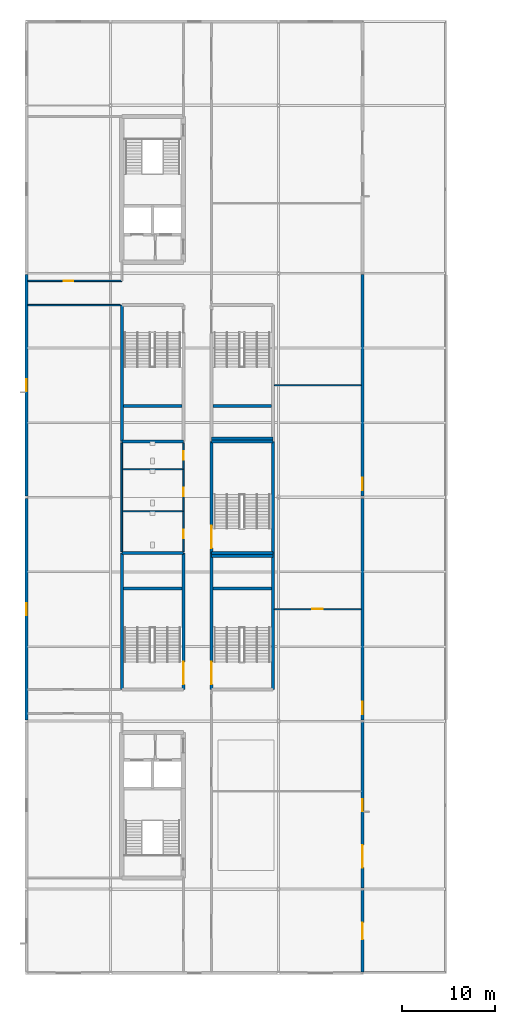
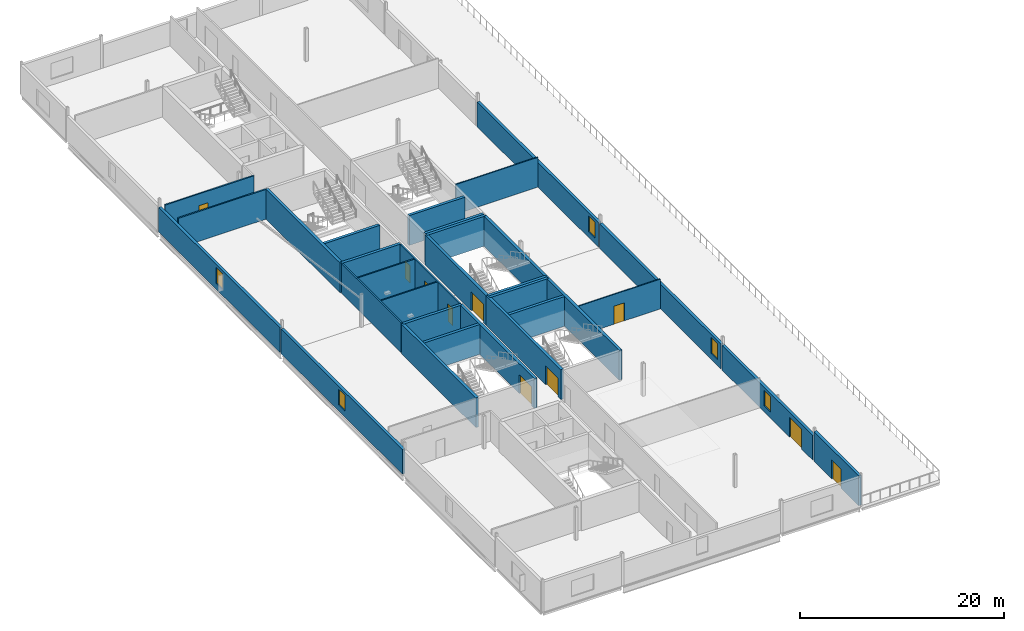
# One storey, part 28 of 55: 31 walls, 10 doors, 5 windows, 15 openings.
"""IFC4 building model written with IfcOpenShell, lengths in metres."""

from ifc_helpers import new_model, si_unit, direction, frame, frame_2d, origin, place, context, subcontext, project, spatial, rectangle, extrude, material, layer, layer_set, type_object, element, fill, save


model = new_model("IFC4")

# Units and contexts
model_context = context("Model", 3, precision=1e-05, world=origin(), true_north=direction((0.0, 1.0)))
body_context = subcontext(model_context, "Body", "Model", "MODEL_VIEW")
ifc_project = project(units=[si_unit("LENGTHUNIT", "METRE"), si_unit("AREAUNIT", "SQUARE_METRE"), si_unit("VOLUMEUNIT", "CUBIC_METRE"), si_unit("PLANEANGLEUNIT", "RADIAN"), si_unit("MASSUNIT", "GRAM", prefix="KILO")], contexts=[model_context])

# Site, building, storey
site_placement = place(None, origin())
site = spatial("IfcSite", under=ifc_project, at=site_placement, CompositionType="ELEMENT")
building_placement = place(site_placement, origin())
building = spatial("IfcBuilding", under=site, at=building_placement, Name="Kisiwana Market Hall", CompositionType="ELEMENT")
storey_placement = place(building_placement, frame((0.0, 0.0, 37.800048828125)))
storey = spatial("IfcBuildingStorey", under=building, at=storey_placement, Name="L08", CompositionType="ELEMENT", Elevation=37.800048828125)

# Walls
ifc_material_1 = material(Name="Concrete C40/50", Category="concrete")
ifc_layer_1 = layer(ifc_material_1, 0.320068359375, Name="Reinforced concrete shaft wall")
ifc_layer_set_1 = layer_set([ifc_layer_1], Name="WL-CORE-320")
wall_type_1 = type_object("IfcWallType", Name="WL-CORE-320", PredefinedType="SHEAR", material=ifc_layer_set_1)
wall_1_placement = place(storey_placement, frame((10.199951171875, 54.0, 0.0), z_axis=(0.0, 0.0, 1.0), x_axis=(1.0, 0.0, 0.0)))
element("IfcWall", 1, at=wall_1_placement, inside=storey, type_object=wall_type_1, Name="Core W3 north shear wall W-2299", PredefinedType="SHEAR", context=body_context, shape_type="SweptSolid", body=[
    extrude(rectangle(XDim=6.60009765625, YDim=0.320068359375, at=frame_2d((3.300048828125, 0.0))), origin(), (0.0, 0.0, 1.0), 3.56494140625),
])
wall_2_placement = place(storey_placement, frame((10.199951171875, 39.39990234375, 0.0), z_axis=(0.0, 0.0, 1.0), x_axis=(0.0, 1.0, 0.0)))
element("IfcWall", 2, at=wall_2_placement, inside=storey, type_object=wall_type_1, Name="Core W3 outer shear wall W-2300", PredefinedType="SHEAR", context=body_context, shape_type="SweptSolid", body=[
    extrude(rectangle(XDim=14.60009765625, YDim=0.320068359375, at=frame_2d((7.300048828125, 0.0))), origin(), (0.0, 0.0, 1.0), 3.56494140625),
])

# Wall, opening, door
wall_3_placement = place(storey_placement, frame((16.800048828125, 39.39990234375, 0.0), z_axis=(0.0, 0.0, 1.0), x_axis=(0.0, 1.0, 0.0)))
wall_3 = element("IfcWall", 3, at=wall_3_placement, inside=storey, type_object=wall_type_1, Name="Core W3 corridor shear wall W-2301", PredefinedType="SHEAR", context=body_context, shape_type="SweptSolid", body=[
    extrude(rectangle(XDim=14.60009765625, YDim=0.320068359375, at=frame_2d((7.300048828125, 0.0))), origin(), (0.0, 0.0, 1.0), 3.56494140625),
])
opening_1_placement = place(wall_3_placement, frame((0.550048828125, 0.0, 0.0)))
opening_1 = element("IfcOpeningElement", 4, at=opening_1_placement, cuts=wall_3, Name="Opening DR-L08-013", PredefinedType="OPENING", context=body_context, shape_type="SweptSolid", body=[
    extrude(rectangle(XDim=2.39990234375, YDim=2.25, at=frame_2d((1.199951171875, 1.125))), frame((0.0, 0.171875, 0.0), z_axis=(0.0, -1.0, 0.0), x_axis=(1.0, 0.0, 0.0)), (0.0, 0.0, 1.0), 0.343994140625),
])
ifc_material_2 = material(Name="Steel S275", Category="steel")
door_type_1 = type_object("IfcDoorType", Name="DR-STAIR-FD120-2400", OperationType="DOUBLE_DOOR_SINGLE_SWING", PredefinedType="DOOR", material=ifc_material_2)
door_1_placement = place(opening_1_placement, origin())
door_1 = element("IfcDoor", 5, at=door_1_placement, inside=storey, type_object=door_type_1, Name="Escape Stair W3 Fire Door (L08)", OperationType="DOUBLE_DOOR_SINGLE_SWING", OverallHeight=2.25, OverallWidth=2.39990234375, PredefinedType="DOOR", context=body_context, shape_type="SweptSolid", body=[
    extrude(rectangle(XDim=2.39990234375, YDim=2.25, at=frame_2d((1.199951171875, 1.125))), frame((0.0, 0.02490234375, 0.0), z_axis=(0.0, -1.0, 0.0), x_axis=(1.0, 0.0, 0.0)), (0.0, 0.0, 1.0), 0.050048828125),
])
fill(opening_1, door_1)

# Walls
wall_4_placement = place(storey_placement, frame((10.360107421875, 50.219970703125, 0.0), z_axis=(0.0, 0.0, 1.0), x_axis=(1.0, 0.0, 0.0)))
element("IfcWall", 6, at=wall_4_placement, inside=storey, type_object=wall_type_1, Name="Core W3 riser divider shear wall W-2302", PredefinedType="SHEAR", context=body_context, shape_type="SweptSolid", body=[
    extrude(rectangle(XDim=6.27978515625, YDim=0.320068359375, at=frame_2d((3.139892578125, 0.0))), origin(), (0.0, 0.0, 1.0), 3.56494140625),
])
wall_5_placement = place(storey_placement, frame((10.199951171875, 66.0, 0.0), z_axis=(0.0, 0.0, 1.0), x_axis=(1.0, 0.0, 0.0)))
element("IfcWall", 7, at=wall_5_placement, inside=storey, type_object=wall_type_1, Name="Core W4 south shear wall W-2303", PredefinedType="SHEAR", context=body_context, shape_type="SweptSolid", body=[
    extrude(rectangle(XDim=6.60009765625, YDim=0.320068359375, at=frame_2d((3.300048828125, 0.0))), origin(), (0.0, 0.0, 1.0), 3.56494140625),
])
wall_6_placement = place(storey_placement, frame((10.199951171875, 66.0, 0.0), z_axis=(0.0, 0.0, 1.0), x_axis=(0.0, 1.0, 0.0)))
element("IfcWall", 8, at=wall_6_placement, inside=storey, type_object=wall_type_1, Name="Core W4 outer shear wall W-2305", PredefinedType="SHEAR", context=body_context, shape_type="SweptSolid", body=[
    extrude(rectangle(XDim=14.60009765625, YDim=0.320068359375, at=frame_2d((7.300048828125, 0.0))), origin(), (0.0, 0.0, 1.0), 3.56494140625),
])
wall_7_placement = place(storey_placement, frame((10.360107421875, 69.780029296875, 0.0), z_axis=(0.0, 0.0, 1.0), x_axis=(1.0, 0.0, 0.0)))
element("IfcWall", 9, at=wall_7_placement, inside=storey, type_object=wall_type_1, Name="Core W4 riser divider shear wall W-2307", PredefinedType="SHEAR", context=body_context, shape_type="SweptSolid", body=[
    extrude(rectangle(XDim=6.27978515625, YDim=0.320068359375, at=frame_2d((3.139892578125, 0.0))), origin(), (0.0, 0.0, 1.0), 3.56494140625),
])
wall_8_placement = place(storey_placement, frame((19.800048828125, 54.0, 0.0), z_axis=(0.0, 0.0, 1.0), x_axis=(1.0, 0.0, 0.0)))
element("IfcWall", 10, at=wall_8_placement, inside=storey, type_object=wall_type_1, Name="Core W7 north shear wall W-2319", PredefinedType="SHEAR", context=body_context, shape_type="SweptSolid", body=[
    extrude(rectangle(XDim=6.599853515625, YDim=0.320068359375, at=frame_2d((3.2998046875, 0.0))), origin(), (0.0, 0.0, 1.0), 3.56494140625),
])

# Wall, opening, door
wall_9_placement = place(storey_placement, frame((19.800048828125, 39.39990234375, 0.0), z_axis=(0.0, 0.0, 1.0), x_axis=(0.0, 1.0, 0.0)))
wall_9 = element("IfcWall", 11, at=wall_9_placement, inside=storey, type_object=wall_type_1, Name="Core W7 corridor shear wall W-2320", PredefinedType="SHEAR", context=body_context, shape_type="SweptSolid", body=[
    extrude(rectangle(XDim=14.60009765625, YDim=0.320068359375, at=frame_2d((7.300048828125, 0.0))), origin(), (0.0, 0.0, 1.0), 3.56494140625),
])
opening_2_placement = place(wall_9_placement, frame((0.550048828125, 0.0, 0.0)))
opening_2 = element("IfcOpeningElement", 12, at=opening_2_placement, cuts=wall_9, Name="Opening DR-L08-017", PredefinedType="OPENING", context=body_context, shape_type="SweptSolid", body=[
    extrude(rectangle(XDim=2.39990234375, YDim=2.25, at=frame_2d((1.199951171875, 1.125))), frame((0.0, 0.171875, 0.0), z_axis=(0.0, -1.0, 0.0), x_axis=(1.0, 0.0, 0.0)), (0.0, 0.0, 1.0), 0.343994140625),
])
door_2_placement = place(opening_2_placement, frame((2.39990234375, 0.0, 0.0), z_axis=(0.0, 0.0, 1.0), x_axis=(-1.0, 0.0, 0.0)))
door_2 = element("IfcDoor", 13, at=door_2_placement, inside=storey, type_object=door_type_1, Name="Escape Stair W7 Fire Door (L08)", OperationType="DOUBLE_DOOR_SINGLE_SWING", OverallHeight=2.25, OverallWidth=2.39990234375, PredefinedType="DOOR", context=body_context, shape_type="SweptSolid", body=[
    extrude(rectangle(XDim=2.39990234375, YDim=2.25, at=frame_2d((1.199951171875, 1.125))), frame((0.0, 0.02490234375, 0.0), z_axis=(0.0, -1.0, 0.0), x_axis=(1.0, 0.0, 0.0)), (0.0, 0.0, 1.0), 0.050048828125),
])
fill(opening_2, door_2)

# Walls
wall_10_placement = place(storey_placement, frame((26.39990234375, 39.39990234375, 0.0), z_axis=(0.0, 0.0, 1.0), x_axis=(0.0, 1.0, 0.0)))
element("IfcWall", 14, at=wall_10_placement, inside=storey, type_object=wall_type_1, Name="Core W7 outer shear wall W-2321", PredefinedType="SHEAR", context=body_context, shape_type="SweptSolid", body=[
    extrude(rectangle(XDim=14.60009765625, YDim=0.320068359375, at=frame_2d((7.300048828125, 0.0))), origin(), (0.0, 0.0, 1.0), 3.56494140625),
])
wall_11_placement = place(storey_placement, frame((19.9599609375, 50.219970703125, 0.0), z_axis=(0.0, 0.0, 1.0), x_axis=(1.0, 0.0, 0.0)))
element("IfcWall", 15, at=wall_11_placement, inside=storey, type_object=wall_type_1, Name="Core W7 riser divider shear wall W-2322", PredefinedType="SHEAR", context=body_context, shape_type="SweptSolid", body=[
    extrude(rectangle(XDim=6.280029296875, YDim=0.320068359375, at=frame_2d((3.14013671875, 0.0))), origin(), (0.0, 0.0, 1.0), 3.56494140625),
])
wall_12_placement = place(storey_placement, frame((19.800048828125, 66.0, 0.0), z_axis=(0.0, 0.0, 1.0), x_axis=(1.0, 0.0, 0.0)))
element("IfcWall", 16, at=wall_12_placement, inside=storey, type_object=wall_type_1, Name="Core W8 south shear wall W-2328", PredefinedType="SHEAR", context=body_context, shape_type="SweptSolid", body=[
    extrude(rectangle(XDim=6.599853515625, YDim=0.320068359375, at=frame_2d((3.2998046875, 0.0))), origin(), (0.0, 0.0, 1.0), 3.56494140625),
])
wall_13_placement = place(storey_placement, frame((19.9599609375, 69.780029296875, 0.0), z_axis=(0.0, 0.0, 1.0), x_axis=(1.0, 0.0, 0.0)))
element("IfcWall", 17, at=wall_13_placement, inside=storey, type_object=wall_type_1, Name="Core W8 riser divider shear wall W-2332", PredefinedType="SHEAR", context=body_context, shape_type="SweptSolid", body=[
    extrude(rectangle(XDim=6.280029296875, YDim=0.320068359375, at=frame_2d((3.14013671875, 0.0))), origin(), (0.0, 0.0, 1.0), 3.56494140625),
])
for number, where, z_axis, x_axis, name in (
    (18, (19.800048828125, 53.679931640625, 0.0), (0.0, 0.0, 1.0), (1.0, 0.0, 0.0), "Core W5 south shear wall W-2338"),
    (19, (19.800048828125, 66.320068359375, 0.0), (0.0, 0.0, 1.0), (1.0, 0.0, 0.0), "Core W5 north shear wall W-2339"),
):
    element("IfcWall", number, at=place(storey_placement, frame(where, z_axis=z_axis, x_axis=x_axis)), inside=storey, type_object=wall_type_1, Name=name, PredefinedType="SHEAR", context=body_context, shape_type="SweptSolid", body=[
        extrude(rectangle(XDim=6.599853515625, YDim=0.320068359375, at=frame_2d((3.2998046875, 0.0))), origin(), (0.0, 0.0, 1.0), 3.56494140625),
    ])

# Wall, opening, door
wall_14_placement = place(storey_placement, frame((19.800048828125, 54.0, 0.0), z_axis=(0.0, 0.0, 1.0), x_axis=(0.0, 1.0, 0.0)))
wall_14 = element("IfcWall", 20, at=wall_14_placement, inside=storey, type_object=wall_type_1, Name="Core W5 corridor shear wall W-2340", PredefinedType="SHEAR", context=body_context, shape_type="SweptSolid", body=[
    extrude(rectangle(XDim=12.0, YDim=0.320068359375, at=frame_2d((6.0, 0.0))), origin(), (0.0, 0.0, 1.0), 3.56494140625),
])
opening_3_placement = place(wall_14_placement, frame((0.550048828125, 0.0, 0.0)))
opening_3 = element("IfcOpeningElement", 21, at=opening_3_placement, cuts=wall_14, Name="Opening DR-L08-021", PredefinedType="OPENING", context=body_context, shape_type="SweptSolid", body=[
    extrude(rectangle(XDim=2.39990234375, YDim=2.25, at=frame_2d((1.199951171875, 1.125))), frame((0.0, 0.171875, 0.0), z_axis=(0.0, -1.0, 0.0), x_axis=(1.0, 0.0, 0.0)), (0.0, 0.0, 1.0), 0.343994140625),
])
door_3_placement = place(opening_3_placement, frame((2.39990234375, 0.0, 0.0), z_axis=(0.0, 0.0, 1.0), x_axis=(-1.0, 0.0, 0.0)))
door_3 = element("IfcDoor", 22, at=door_3_placement, inside=storey, type_object=door_type_1, Name="Escape Stair W5 Fire Door (L08)", OperationType="DOUBLE_DOOR_SINGLE_SWING", OverallHeight=2.25, OverallWidth=2.39990234375, PredefinedType="DOOR", context=body_context, shape_type="SweptSolid", body=[
    extrude(rectangle(XDim=2.39990234375, YDim=2.25, at=frame_2d((1.199951171875, 1.125))), frame((0.0, 0.02490234375, 0.0), z_axis=(0.0, -1.0, 0.0), x_axis=(1.0, 0.0, 0.0)), (0.0, 0.0, 1.0), 0.050048828125),
])
fill(opening_3, door_3)

# Walls
wall_15_placement = place(storey_placement, frame((26.39990234375, 54.0, 0.0), z_axis=(0.0, 0.0, 1.0), x_axis=(0.0, 1.0, 0.0)))
element("IfcWall", 23, at=wall_15_placement, inside=storey, type_object=wall_type_1, Name="Core W5 outer shear wall W-2341", PredefinedType="SHEAR", context=body_context, shape_type="SweptSolid", body=[
    extrude(rectangle(XDim=12.0, YDim=0.320068359375, at=frame_2d((6.0, 0.0))), origin(), (0.0, 0.0, 1.0), 3.56494140625),
])
ifc_material_3 = material(Name="Masonry blockwork", Category="masonry")
ifc_layer_2 = layer(ifc_material_3, 0.169921875, Name="Protected corridor partition")
ifc_layer_set_2 = layer_set([ifc_layer_2], Name="WL-CORR-170")
wall_type_2 = type_object("IfcWallType", Name="WL-CORR-170", PredefinedType="PARTITIONING", material=ifc_layer_set_2)
wall_16_placement = place(storey_placement, frame((10.199951171875, 54.159912109375, 0.0), z_axis=(0.0, 0.0, 1.0), x_axis=(0.0, 1.0, 0.0)))
element("IfcWall", 24, at=wall_16_placement, inside=storey, type_object=wall_type_2, Name="Interior partition W-2383", PredefinedType="PARTITIONING", context=body_context, shape_type="SweptSolid", body=[
    extrude(rectangle(XDim=11.68017578125, YDim=0.169921875, at=frame_2d((5.840087890625, 0.0))), origin(), (0.0, 0.0, 1.0), 3.56494140625),
])

# Wall, openings, doors
wall_17_placement = place(storey_placement, frame((16.800048828125, 54.159912109375, 0.0), z_axis=(0.0, 0.0, 1.0), x_axis=(0.0, 1.0, 0.0)))
wall_17 = element("IfcWall", 25, at=wall_17_placement, inside=storey, type_object=wall_type_2, Name="Interior partition W-2384", PredefinedType="PARTITIONING", context=body_context, shape_type="SweptSolid", body=[
    extrude(rectangle(XDim=11.68017578125, YDim=0.169921875, at=frame_2d((5.840087890625, 0.0))), origin(), (0.0, 0.0, 1.0), 3.56494140625),
])
opening_4_placement = place(wall_17_placement, frame((1.43994140625, 0.0, 0.0)))
opening_4 = element("IfcOpeningElement", 26, at=opening_4_placement, cuts=wall_17, Name="Opening DR-L08-023", PredefinedType="OPENING", context=body_context, shape_type="SweptSolid", body=[
    extrude(rectangle(XDim=0.89990234375, YDim=2.10009765625, at=frame_2d((0.449951171875, 1.050048828125))), frame((0.0, 0.096923828125, 0.0), z_axis=(0.0, -1.0, 0.0), x_axis=(1.0, 0.0, 0.0)), (0.0, 0.0, 1.0), 0.19384765625),
])
opening_5_placement = place(wall_17_placement, frame((5.93994140625, 0.0, 0.0)))
opening_5 = element("IfcOpeningElement", 27, at=opening_5_placement, cuts=wall_17, Name="Opening DR-L08-024", PredefinedType="OPENING", context=body_context, shape_type="SweptSolid", body=[
    extrude(rectangle(XDim=0.89990234375, YDim=2.10009765625, at=frame_2d((0.449951171875, 1.050048828125))), frame((0.0, 0.096923828125, 0.0), z_axis=(0.0, -1.0, 0.0), x_axis=(1.0, 0.0, 0.0)), (0.0, 0.0, 1.0), 0.19384765625),
])
opening_6_placement = place(wall_17_placement, frame((9.840087890625, 0.0, 0.0)))
opening_6 = element("IfcOpeningElement", 28, at=opening_6_placement, cuts=wall_17, Name="Opening DR-L08-025", PredefinedType="OPENING", context=body_context, shape_type="SweptSolid", body=[
    extrude(rectangle(XDim=0.949951171875, YDim=2.10009765625, at=frame_2d((0.47509765625, 1.050048828125))), frame((0.0, 0.096923828125, 0.0), z_axis=(0.0, -1.0, 0.0), x_axis=(1.0, 0.0, 0.0)), (0.0, 0.0, 1.0), 0.19384765625),
])
ifc_material_4 = material(Name="Aluminium alloy 6063-T6", Category="aluminium")
door_type_2 = type_object("IfcDoorType", Name="DR-WC-ACC-950", OperationType="NOTDEFINED", PredefinedType="DOOR", material=ifc_material_4)
door_4_placement = place(opening_6_placement, origin())
door_4 = element("IfcDoor", 29, at=door_4_placement, inside=storey, type_object=door_type_2, Name="L08 W Accessible WC Door", OperationType="SINGLE_SWING_RIGHT", OverallHeight=2.10009765625, OverallWidth=0.949951171875, PredefinedType="DOOR", context=body_context, shape_type="SweptSolid", body=[
    extrude(rectangle(XDim=0.949951171875, YDim=2.10009765625, at=frame_2d((0.47509765625, 1.050048828125))), frame((0.0, 0.02490234375, 0.0), z_axis=(0.0, -1.0, 0.0), x_axis=(1.0, 0.0, 0.0)), (0.0, 0.0, 1.0), 0.050048828125),
])
fill(opening_6, door_4)
ifc_material_5 = material(Name="Aluminium alloy 6063-T6", Category="aluminium")
door_type_3 = type_object("IfcDoorType", Name="DR-WC-STD-900", OperationType="NOTDEFINED", PredefinedType="DOOR", material=ifc_material_5)
door_5_placement = place(opening_4_placement, origin())
door_5 = element("IfcDoor", 30, at=door_5_placement, inside=storey, type_object=door_type_3, Name="L08 W Male Toilet Door", OperationType="SINGLE_SWING_LEFT", OverallHeight=2.10009765625, OverallWidth=0.89990234375, PredefinedType="DOOR", context=body_context, shape_type="SweptSolid", body=[
    extrude(rectangle(XDim=0.89990234375, YDim=2.10009765625, at=frame_2d((0.449951171875, 1.050048828125))), frame((0.0, 0.02490234375, 0.0), z_axis=(0.0, -1.0, 0.0), x_axis=(1.0, 0.0, 0.0)), (0.0, 0.0, 1.0), 0.050048828125),
])
fill(opening_4, door_5)
door_6_placement = place(opening_5_placement, origin())
door_6 = element("IfcDoor", 31, at=door_6_placement, inside=storey, type_object=door_type_3, Name="L08 W Female Toilet Door", OperationType="SINGLE_SWING_RIGHT", OverallHeight=2.10009765625, OverallWidth=0.89990234375, PredefinedType="DOOR", context=body_context, shape_type="SweptSolid", body=[
    extrude(rectangle(XDim=0.89990234375, YDim=2.10009765625, at=frame_2d((0.449951171875, 1.050048828125))), frame((0.0, 0.02490234375, 0.0), z_axis=(0.0, -1.0, 0.0), x_axis=(1.0, 0.0, 0.0)), (0.0, 0.0, 1.0), 0.050048828125),
])
fill(opening_5, door_6)

# Wall, opening, window
ifc_material_6 = material(Name="Concrete C40/50 precast", Category="concrete")
ifc_layer_3 = layer(ifc_material_6, 0.31494140625)
ifc_layer_set_3 = layer_set([ifc_layer_3], Name="WL-EXT-315")
wall_type_3 = type_object("IfcWallType", Name="WL-EXT-315", PredefinedType="STANDARD", material=ifc_layer_set_3)
wall_18_placement = place(storey_placement, frame((0.0, 36.114990234375, 0.0), z_axis=(0.0, 0.0, 1.0), x_axis=(0.0, 1.0, 0.0)))
wall_18 = element("IfcWall", 32, at=wall_18_placement, inside=storey, type_object=wall_type_3, Name="Exterior wall W-2357", PredefinedType="STANDARD", context=body_context, shape_type="SweptSolid", body=[
    extrude(rectangle(XDim=23.77001953125, YDim=0.31494140625, at=frame_2d((11.885009765625, 0.0))), origin(), (0.0, 0.0, 1.0), 2.95263671875),
])
opening_7_placement = place(wall_18_placement, frame((11.235107421875, 0.0, 0.699951171875)))
opening_7 = element("IfcOpeningElement", 33, at=opening_7_placement, cuts=wall_18, Name="Opening WN-08", PredefinedType="OPENING", context=body_context, shape_type="SweptSolid", body=[
    extrude(rectangle(XDim=1.300048828125, YDim=1.89990234375, at=frame_2d((0.64990234375, 0.949951171875))), frame((0.0, 0.16943359375, 0.0), z_axis=(0.0, -1.0, 0.0), x_axis=(1.0, 0.0, 0.0)), (0.0, 0.0, 1.0), 0.3388671875),
])
ifc_material_7 = material(Name="Double-glazed solar-control low-E IGU", Category="glass")
window_type = type_object("IfcWindowType", Name="WN-OFFB-1300x1900", PartitioningType="SINGLE_PANEL", PredefinedType="WINDOW", material=ifc_material_7)
window_1_placement = place(opening_7_placement, origin())
window_1 = element("IfcWindow", 34, at=window_1_placement, inside=storey, type_object=window_type, Name="Exterior window WN-232", OverallHeight=1.89990234375, OverallWidth=1.300048828125, PartitioningType="SINGLE_PANEL", PredefinedType="WINDOW", context=body_context, shape_type="SweptSolid", body=[
    extrude(rectangle(XDim=1.300048828125, YDim=1.89990234375, at=frame_2d((0.64990234375, 0.949951171875))), frame((0.0, 0.030029296875, 0.0), z_axis=(0.0, -1.0, 0.0), x_axis=(1.0, 0.0, 0.0)), (0.0, 0.0, 1.0), 0.06005859375),
])
fill(opening_7, window_1)

wall_19_placement = place(storey_placement, frame((0.0, 60.114990234375, 0.0), z_axis=(0.0, 0.0, 1.0), x_axis=(0.0, 1.0, 0.0)))
wall_19 = element("IfcWall", 35, at=wall_19_placement, inside=storey, type_object=wall_type_3, Name="Exterior wall W-2358", PredefinedType="STANDARD", context=body_context, shape_type="SweptSolid", body=[
    extrude(rectangle(XDim=23.77001953125, YDim=0.31494140625, at=frame_2d((11.885009765625, 0.0))), origin(), (0.0, 0.0, 1.0), 2.95263671875),
])
opening_8_placement = place(wall_19_placement, frame((11.235107421875, 0.0, 0.699951171875)))
opening_8 = element("IfcOpeningElement", 36, at=opening_8_placement, cuts=wall_19, Name="Opening WN-08", PredefinedType="OPENING", context=body_context, shape_type="SweptSolid", body=[
    extrude(rectangle(XDim=1.300048828125, YDim=1.89990234375, at=frame_2d((0.64990234375, 0.949951171875))), frame((0.0, 0.16943359375, 0.0), z_axis=(0.0, -1.0, 0.0), x_axis=(1.0, 0.0, 0.0)), (0.0, 0.0, 1.0), 0.3388671875),
])
window_2_placement = place(opening_8_placement, origin())
window_2 = element("IfcWindow", 37, at=window_2_placement, inside=storey, type_object=window_type, Name="Exterior window WN-233", OverallHeight=1.89990234375, OverallWidth=1.300048828125, PartitioningType="SINGLE_PANEL", PredefinedType="WINDOW", context=body_context, shape_type="SweptSolid", body=[
    extrude(rectangle(XDim=1.300048828125, YDim=1.89990234375, at=frame_2d((0.64990234375, 0.949951171875))), frame((0.0, 0.030029296875, 0.0), z_axis=(0.0, -1.0, 0.0), x_axis=(1.0, 0.0, 0.0)), (0.0, 0.0, 1.0), 0.06005859375),
])
fill(opening_8, window_2)

# Wall, opening, door
wall_20_placement = place(storey_placement, frame((36.0, 9.114990234375, 0.0), z_axis=(0.0, 0.0, 1.0), x_axis=(0.0, 1.0, 0.0)))
wall_20 = element("IfcWall", 38, at=wall_20_placement, inside=storey, type_object=wall_type_3, Name="Exterior wall W-2361", PredefinedType="STANDARD", context=body_context, shape_type="SweptSolid", body=[
    extrude(rectangle(XDim=8.77001953125, YDim=0.31494140625, at=frame_2d((4.385009765625, 0.0))), origin(), (0.0, 0.0, 1.0), 3.56494140625),
])
opening_9_placement = place(wall_20_placement, frame((3.485107421875, 0.0, 0.0)))
opening_9 = element("IfcOpeningElement", 39, at=opening_9_placement, cuts=wall_20, Name="Opening DR-L08-987", PredefinedType="OPENING", context=body_context, shape_type="SweptSolid", body=[
    extrude(rectangle(XDim=1.800048828125, YDim=2.300048828125, at=frame_2d((0.89990234375, 1.14990234375))), frame((0.0, 0.16943359375, 0.0), z_axis=(0.0, -1.0, 0.0), x_axis=(1.0, 0.0, 0.0)), (0.0, 0.0, 1.0), 0.3388671875),
])
ifc_material_8 = material(Name="Aluminium alloy 6063-T6", Category="aluminium")
door_type_4 = type_object("IfcDoorType", Name="DR-EXT-TERR-1800", OperationType="DOUBLE_DOOR_SINGLE_SWING", PredefinedType="DOOR", material=ifc_material_8)
door_7_placement = place(opening_9_placement, origin())
door_7 = element("IfcDoor", 40, at=door_7_placement, inside=storey, type_object=door_type_4, Name="Exterior terrace access door DR-L08-987", OperationType="DOUBLE_DOOR_SINGLE_SWING", OverallHeight=2.300048828125, OverallWidth=1.800048828125, PredefinedType="DOOR", context=body_context, shape_type="SweptSolid", body=[
    extrude(rectangle(XDim=1.800048828125, YDim=2.300048828125, at=frame_2d((0.89990234375, 1.14990234375))), frame((0.0, 0.02490234375, 0.0), z_axis=(0.0, -1.0, 0.0), x_axis=(1.0, 0.0, 0.0)), (0.0, 0.0, 1.0), 0.050048828125),
])
fill(opening_9, door_7)

# Wall, openings, door, window
wall_21_placement = place(storey_placement, frame((36.0, 18.114990234375, 0.0), z_axis=(0.0, 0.0, 1.0), x_axis=(0.0, 1.0, 0.0)))
wall_21 = element("IfcWall", 41, at=wall_21_placement, inside=storey, type_object=wall_type_3, Name="Exterior wall W-2362", PredefinedType="STANDARD", context=body_context, shape_type="SweptSolid", body=[
    extrude(rectangle(XDim=17.77001953125, YDim=0.31494140625, at=frame_2d((8.885009765625, 0.0))), origin(), (0.0, 0.0, 1.0), 2.95263671875),
])
opening_10_placement = place(wall_21_placement, frame((8.235107421875, 0.0, 0.699951171875)))
opening_10 = element("IfcOpeningElement", 42, at=opening_10_placement, cuts=wall_21, Name="Opening WN-08", PredefinedType="OPENING", context=body_context, shape_type="SweptSolid", body=[
    extrude(rectangle(XDim=1.300048828125, YDim=1.89990234375, at=frame_2d((0.64990234375, 0.949951171875))), frame((0.0, 0.16943359375, 0.0), z_axis=(0.0, -1.0, 0.0), x_axis=(1.0, 0.0, 0.0)), (0.0, 0.0, 1.0), 0.3388671875),
])
opening_11_placement = place(wall_21_placement, frame((2.18505859375, 0.0, 0.0)))
opening_11 = element("IfcOpeningElement", 43, at=opening_11_placement, cuts=wall_21, Name="Opening DR-L08-989", PredefinedType="OPENING", context=body_context, shape_type="SweptSolid", body=[
    extrude(rectangle(XDim=2.39990234375, YDim=2.35009765625, at=frame_2d((1.199951171875, 1.175048828125))), frame((0.0, 0.16943359375, 0.0), z_axis=(0.0, -1.0, 0.0), x_axis=(1.0, 0.0, 0.0)), (0.0, 0.0, 1.0), 0.3388671875),
])
ifc_material_9 = material(Name="Aluminium alloy 6063-T6", Category="aluminium")
door_type_5 = type_object("IfcDoorType", Name="DR-EXT-TERR-2400", OperationType="DOUBLE_DOOR_SINGLE_SWING", PredefinedType="DOOR", material=ifc_material_9)
door_8_placement = place(opening_11_placement, origin())
door_8 = element("IfcDoor", 44, at=door_8_placement, inside=storey, type_object=door_type_5, Name="Exterior terrace access door DR-L08-989", OperationType="DOUBLE_DOOR_SINGLE_SWING", OverallHeight=2.35009765625, OverallWidth=2.39990234375, PredefinedType="DOOR", context=body_context, shape_type="SweptSolid", body=[
    extrude(rectangle(XDim=2.39990234375, YDim=2.35009765625, at=frame_2d((1.199951171875, 1.175048828125))), frame((0.0, 0.02490234375, 0.0), z_axis=(0.0, -1.0, 0.0), x_axis=(1.0, 0.0, 0.0)), (0.0, 0.0, 1.0), 0.050048828125),
])
fill(opening_11, door_8)
window_3_placement = place(opening_10_placement, origin())
window_3 = element("IfcWindow", 45, at=window_3_placement, inside=storey, type_object=window_type, Name="Exterior window WN-235", OverallHeight=1.89990234375, OverallWidth=1.300048828125, PartitioningType="SINGLE_PANEL", PredefinedType="WINDOW", context=body_context, shape_type="SweptSolid", body=[
    extrude(rectangle(XDim=1.300048828125, YDim=1.89990234375, at=frame_2d((0.64990234375, 0.949951171875))), frame((0.0, 0.030029296875, 0.0), z_axis=(0.0, -1.0, 0.0), x_axis=(1.0, 0.0, 0.0)), (0.0, 0.0, 1.0), 0.06005859375),
])
fill(opening_10, window_3)

# Wall, opening, window
wall_22_placement = place(storey_placement, frame((36.0, 36.114990234375, 0.0), z_axis=(0.0, 0.0, 1.0), x_axis=(0.0, 1.0, 0.0)))
wall_22 = element("IfcWall", 46, at=wall_22_placement, inside=storey, type_object=wall_type_3, Name="Exterior wall W-2363", PredefinedType="STANDARD", context=body_context, shape_type="SweptSolid", body=[
    extrude(rectangle(XDim=23.77001953125, YDim=0.31494140625, at=frame_2d((11.885009765625, 0.0))), origin(), (0.0, 0.0, 1.0), 2.95263671875),
])
opening_12_placement = place(wall_22_placement, frame((0.64990234375, 0.0, 0.699951171875)))
opening_12 = element("IfcOpeningElement", 47, at=opening_12_placement, cuts=wall_22, Name="Opening WN-08", PredefinedType="OPENING", context=body_context, shape_type="SweptSolid", body=[
    extrude(rectangle(XDim=1.300048828125, YDim=1.89990234375, at=frame_2d((0.64990234375, 0.949951171875))), frame((0.0, 0.16943359375, 0.0), z_axis=(0.0, -1.0, 0.0), x_axis=(1.0, 0.0, 0.0)), (0.0, 0.0, 1.0), 0.3388671875),
])
window_4_placement = place(opening_12_placement, origin())
window_4 = element("IfcWindow", 48, at=window_4_placement, inside=storey, type_object=window_type, Name="Exterior window WN-236", OverallHeight=1.89990234375, OverallWidth=1.300048828125, PartitioningType="SINGLE_PANEL", PredefinedType="WINDOW", context=body_context, shape_type="SweptSolid", body=[
    extrude(rectangle(XDim=1.300048828125, YDim=1.89990234375, at=frame_2d((0.64990234375, 0.949951171875))), frame((0.0, 0.030029296875, 0.0), z_axis=(0.0, -1.0, 0.0), x_axis=(1.0, 0.0, 0.0)), (0.0, 0.0, 1.0), 0.06005859375),
])
fill(opening_12, window_4)

wall_23_placement = place(storey_placement, frame((36.0, 60.114990234375, 0.0), z_axis=(0.0, 0.0, 1.0), x_axis=(0.0, 1.0, 0.0)))
wall_23 = element("IfcWall", 49, at=wall_23_placement, inside=storey, type_object=wall_type_3, Name="Exterior wall W-2364", PredefinedType="STANDARD", context=body_context, shape_type="SweptSolid", body=[
    extrude(rectangle(XDim=23.77001953125, YDim=0.31494140625, at=frame_2d((11.885009765625, 0.0))), origin(), (0.0, 0.0, 1.0), 2.95263671875),
])
opening_13_placement = place(wall_23_placement, frame((0.64990234375, 0.0, 0.699951171875)))
opening_13 = element("IfcOpeningElement", 50, at=opening_13_placement, cuts=wall_23, Name="Opening WN-08", PredefinedType="OPENING", context=body_context, shape_type="SweptSolid", body=[
    extrude(rectangle(XDim=1.300048828125, YDim=1.89990234375, at=frame_2d((0.64990234375, 0.949951171875))), frame((0.0, 0.16943359375, 0.0), z_axis=(0.0, -1.0, 0.0), x_axis=(1.0, 0.0, 0.0)), (0.0, 0.0, 1.0), 0.3388671875),
])
window_5_placement = place(opening_13_placement, origin())
window_5 = element("IfcWindow", 51, at=window_5_placement, inside=storey, type_object=window_type, Name="Exterior window WN-237", OverallHeight=1.89990234375, OverallWidth=1.300048828125, PartitioningType="SINGLE_PANEL", PredefinedType="WINDOW", context=body_context, shape_type="SweptSolid", body=[
    extrude(rectangle(XDim=1.300048828125, YDim=1.89990234375, at=frame_2d((0.64990234375, 0.949951171875))), frame((0.0, 0.030029296875, 0.0), z_axis=(0.0, -1.0, 0.0), x_axis=(1.0, 0.0, 0.0)), (0.0, 0.0, 1.0), 0.06005859375),
])
fill(opening_13, window_5)

# Wall, opening, door
ifc_material_10 = material(Name="Gypsum plasterboard")
ifc_layer_4 = layer(ifc_material_10, 0.125, Name="Double gypsum board + acoustic stud")
ifc_layer_set_4 = layer_set([ifc_layer_4], Name="WL-OFF-125")
wall_type_4 = type_object("IfcWallType", Name="WL-OFF-125", PredefinedType="PARTITIONING", material=ifc_layer_set_4)
wall_24_placement = place(storey_placement, frame((26.56005859375, 48.0, 0.0), z_axis=(0.0, 0.0, 1.0), x_axis=(1.0, 0.0, 0.0)))
wall_24 = element("IfcWall", 52, at=wall_24_placement, inside=storey, type_object=wall_type_4, Name="Interior partition W-2398", PredefinedType="PARTITIONING", context=body_context, shape_type="SweptSolid", body=[
    extrude(rectangle(XDim=9.294921875, YDim=0.125, at=frame_2d((4.6474609375, 0.0))), origin(), (0.0, 0.0, 1.0), 3.56494140625),
])
opening_14_placement = place(wall_24_placement, frame((4.050048828125, 0.0, 0.0)))
opening_14 = element("IfcOpeningElement", 53, at=opening_14_placement, cuts=wall_24, Name="Opening DR-L08-031", PredefinedType="OPENING", context=body_context, shape_type="SweptSolid", body=[
    extrude(rectangle(XDim=1.14990234375, YDim=2.14990234375, at=frame_2d((0.574951171875, 1.074951171875))), frame((0.0, 0.074462890625, 0.0), z_axis=(0.0, -1.0, 0.0), x_axis=(1.0, 0.0, 0.0)), (0.0, 0.0, 1.0), 0.14892578125),
])
ifc_material_11 = material(Name="Aluminium alloy 6063-T6", Category="aluminium")
door_type_6 = type_object("IfcDoorType", Name="DR-MEET-1150", OperationType="NOTDEFINED", PredefinedType="DOOR", material=ifc_material_11)
door_9_placement = place(opening_14_placement, origin())
door_9 = element("IfcDoor", 54, at=door_9_placement, inside=storey, type_object=door_type_6, Name="L08 W Engineering Design Studio M3 Door", OperationType="SINGLE_SWING_LEFT", OverallHeight=2.14990234375, OverallWidth=1.14990234375, PredefinedType="DOOR", context=body_context, shape_type="SweptSolid", body=[
    extrude(rectangle(XDim=1.14990234375, YDim=2.14990234375, at=frame_2d((0.574951171875, 1.074951171875))), frame((0.0, 0.02490234375, 0.0), z_axis=(0.0, -1.0, 0.0), x_axis=(1.0, 0.0, 0.0)), (0.0, 0.0, 1.0), 0.050048828125),
])
fill(opening_14, door_9)

# Walls
wall_25_placement = place(storey_placement, frame((26.56005859375, 72.0, 0.0), z_axis=(0.0, 0.0, 1.0), x_axis=(1.0, 0.0, 0.0)))
element("IfcWall", 55, at=wall_25_placement, inside=storey, type_object=wall_type_4, Name="Interior partition W-2399", PredefinedType="PARTITIONING", context=body_context, shape_type="SweptSolid", body=[
    extrude(rectangle(XDim=9.294921875, YDim=0.125, at=frame_2d((4.6474609375, 0.0))), origin(), (0.0, 0.0, 1.0), 3.56494140625),
])
ifc_material_12 = material(Name="Masonry blockwork", Category="masonry")
ifc_layer_5 = layer(ifc_material_12, 0.159912109375)
ifc_layer_set_5 = layer_set([ifc_layer_5], Name="WL-PART-160")
wall_type_5 = type_object("IfcWallType", Name="WL-PART-160", PredefinedType="PARTITIONING", material=ifc_layer_set_5)
wall_26_placement = place(storey_placement, frame((0.14501953125, 80.60009765625, 0.0), z_axis=(0.0, 0.0, 1.0), x_axis=(1.0, 0.0, 0.0)))
element("IfcWall", 56, at=wall_26_placement, inside=storey, type_object=wall_type_5, Name="Interior partition W-2393", PredefinedType="PARTITIONING", context=body_context, shape_type="SweptSolid", body=[
    extrude(rectangle(XDim=9.89501953125, YDim=0.159912109375, at=frame_2d((4.947509765625, 0.0))), origin(), (0.0, 0.0, 1.0), 3.56494140625),
])

# Wall, opening, door
wall_27_placement = place(storey_placement, frame((0.14501953125, 83.199951171875, 0.0), z_axis=(0.0, 0.0, 1.0), x_axis=(1.0, 0.0, 0.0)))
wall_27 = element("IfcWall", 57, at=wall_27_placement, inside=storey, type_object=wall_type_5, Name="Interior partition W-2394", PredefinedType="PARTITIONING", context=body_context, shape_type="SweptSolid", body=[
    extrude(rectangle(XDim=10.054931640625, YDim=0.159912109375, at=frame_2d((5.02734375, 0.0))), origin(), (0.0, 0.0, 1.0), 3.56494140625),
])
opening_15_placement = place(wall_27_placement, frame((3.85498046875, 0.0, 0.0)))
opening_15 = element("IfcOpeningElement", 58, at=opening_15_placement, cuts=wall_27, Name="Opening DR-L08-028", PredefinedType="OPENING", context=body_context, shape_type="SweptSolid", body=[
    extrude(rectangle(XDim=1.0, YDim=2.14990234375, at=frame_2d((0.5, 1.074951171875))), frame((0.0, 0.091796875, 0.0), z_axis=(0.0, -1.0, 0.0), x_axis=(1.0, 0.0, 0.0)), (0.0, 0.0, 1.0), 0.183837890625),
])
ifc_material_13 = material(Name="Aluminium alloy 6063-T6", Category="aluminium")
door_type_7 = type_object("IfcDoorType", Name="DR-OFF-1000", OperationType="NOTDEFINED", PredefinedType="DOOR", material=ifc_material_13)
door_10_placement = place(opening_15_placement, origin())
door_10 = element("IfcDoor", 59, at=door_10_placement, inside=storey, type_object=door_type_7, Name="L08 W Commercial Office North Door", OperationType="SINGLE_SWING_LEFT", OverallHeight=2.14990234375, OverallWidth=1.0, PredefinedType="DOOR", context=body_context, shape_type="SweptSolid", body=[
    extrude(rectangle(XDim=1.0, YDim=2.14990234375, at=frame_2d((0.5, 1.074951171875))), frame((0.0, 0.02490234375, 0.0), z_axis=(0.0, -1.0, 0.0), x_axis=(1.0, 0.0, 0.0)), (0.0, 0.0, 1.0), 0.050048828125),
])
fill(opening_15, door_10)

# Walls
ifc_material_14 = material(Name="Masonry blockwork", Category="masonry")
ifc_layer_6 = layer(ifc_material_14, 0.14990234375, Name="Water-resistant sanitary block wall")
ifc_layer_set_6 = layer_set([ifc_layer_6], Name="WL-WET-150")
wall_type_6 = type_object("IfcWallType", Name="WL-WET-150", PredefinedType="PARTITIONING", material=ifc_layer_set_6)
for number, where, z_axis, x_axis, name in (
    (60, (10.284912109375, 58.5, 0.0), (0.0, 0.0, 1.0), (1.0, 0.0, 0.0), "Interior partition W-2385"),
    (61, (10.284912109375, 63.0, 0.0), (0.0, 0.0, 1.0), (1.0, 0.0, 0.0), "Interior partition W-2386"),
):
    element("IfcWall", number, at=place(storey_placement, frame(where, z_axis=z_axis, x_axis=x_axis)), inside=storey, type_object=wall_type_6, Name=name, PredefinedType="PARTITIONING", context=body_context, shape_type="SweptSolid", body=[
        extrude(rectangle(XDim=6.43017578125, YDim=0.14990234375, at=frame_2d((3.215087890625, 0.0))), origin(), (0.0, 0.0, 1.0), 3.56494140625),
    ])

save(model, "model.ifc")
